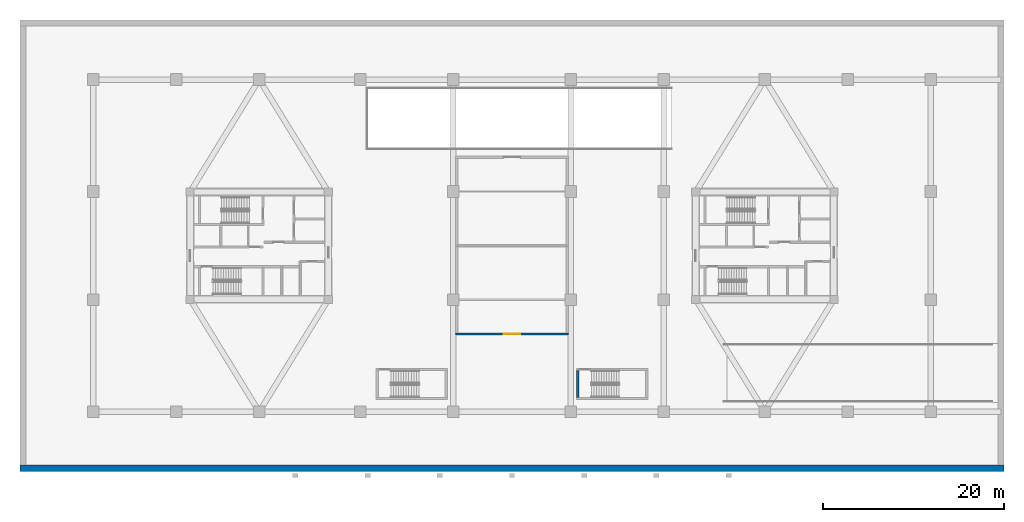
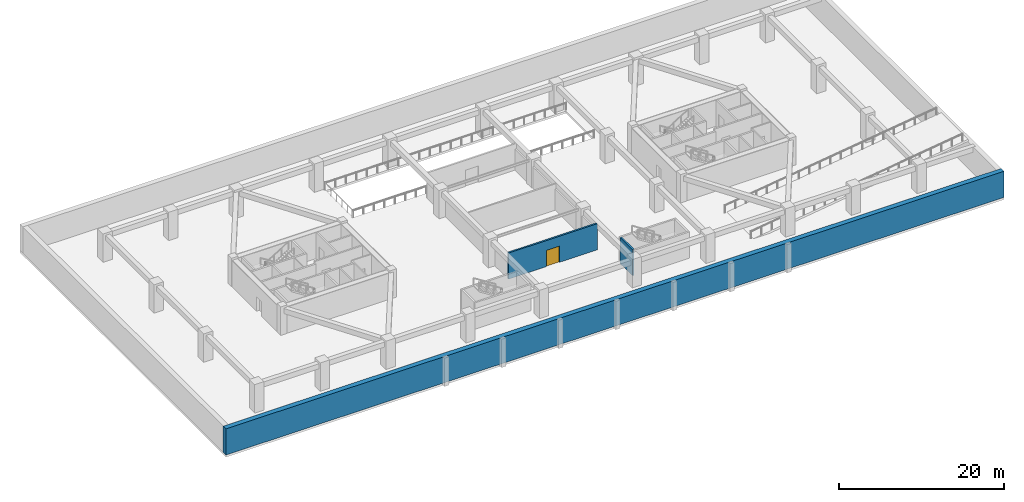
# One storey, part 4 of 14: 3 walls, 1 door, 1 opening.
"""IFC4 building model written with IfcOpenShell, lengths in metres."""

from ifc_helpers import new_model, si_unit, direction, frame, frame_2d, origin, place, context, subcontext, project, spatial, rectangle, extrude, source, transform, mapped, material, layer, layer_set, type_object, type_shapes, element, fill, save


model = new_model("IFC4")

# Units and contexts
model_context = context("Model", 3, precision=1e-05, world=origin(), true_north=direction((0.0, 1.0)))
body_context = subcontext(model_context, "Body", "Model", "MODEL_VIEW")
ifc_project = project(units=[si_unit("LENGTHUNIT", "METRE"), si_unit("AREAUNIT", "SQUARE_METRE"), si_unit("VOLUMEUNIT", "CUBIC_METRE"), si_unit("PLANEANGLEUNIT", "RADIAN"), si_unit("MASSUNIT", "GRAM", prefix="KILO")], contexts=[model_context])

# Site, building, storey
site_placement = place(None, origin())
site = spatial("IfcSite", under=ifc_project, at=site_placement, CompositionType="ELEMENT")
building_placement = place(site_placement, origin())
building = spatial("IfcBuilding", under=site, at=building_placement, Name="Norrkilde Senior Care Towers", CompositionType="ELEMENT")
storey_placement = place(building_placement, frame((0.0, 0.0, -4.199951171875)))
storey = spatial("IfcBuildingStorey", under=building, at=storey_placement, Name="B1", CompositionType="ELEMENT", Elevation=-4.199951171875)

# Walls
ifc_material_1 = material(Name="Concrete C50/60", Category="concrete")
ifc_layer_1 = layer(ifc_material_1, 0.679931640625)
ifc_layer_set_1 = layer_set([ifc_layer_1], Name="Concrete C50/60")
wall_type_1 = type_object("IfcWallType", Name="Basement Retaining Wall 680", PredefinedType="SOLIDWALL", material=ifc_layer_set_1)
shared_shape_1 = source(origin(), body_context, "Body", "SweptSolid", [
    extrude(rectangle(XDim=109.0, YDim=0.679931640625, at=frame_2d((54.5, 0.0))), origin(), (0.0, 0.0, 1.0), 3.8798828125),
])
type_shapes(wall_type_1, [shared_shape_1])
wall_1_placement = place(storey_placement, frame((-54.5, -24.659912109375, 0.0), z_axis=(0.0, 0.0, 1.0), x_axis=(1.0, 0.0, 0.0)))
element("IfcWall", 1, at=wall_1_placement, inside=storey, type_object=wall_type_1, Name="B1 S Perimeter Retaining Wall", PredefinedType="SOLIDWALL", context=body_context, shape_type="MappedRepresentation", body=[
    mapped(shared_shape_1, transform((0.0, 0.0, 0.0), x_axis=(1.0, 0.0, 0.0), y_axis=(0.0, 1.0, 0.0), z_axis=(0.0, 0.0, 1.0), scale=1.0)),
])
ifc_material_2 = material(Name="Concrete C45/55", Category="concrete")
ifc_layer_2 = layer(ifc_material_2, 0.239990234375)
ifc_layer_set_2 = layer_set([ifc_layer_2], Name="Concrete C45/55")
wall_type_2 = type_object("IfcWallType", Name="Shaft and Stair Enclosure Wall 240", PredefinedType="PARTITIONING", material=ifc_layer_set_2)
shared_shape_2 = source(origin(), body_context, "Body", "SweptSolid", [
    extrude(rectangle(XDim=2.949951171875, YDim=0.239990234375, at=frame_2d((1.47509765625, 0.0))), origin(), (0.0, 0.0, 1.0), 3.8798828125),
])
type_shapes(wall_type_2, [shared_shape_2])
wall_2_placement = place(storey_placement, frame((7.280029296875, -16.800048828125, 0.0), z_axis=(0.0, 0.0, 1.0), x_axis=(0.0, 1.0, 0.0)))
element("IfcWall", 2, at=wall_2_placement, inside=storey, type_object=wall_type_2, Name="WL-INT-B1-STP2-W", PredefinedType="PARTITIONING", context=body_context, shape_type="MappedRepresentation", body=[
    mapped(shared_shape_2, transform((0.0, 0.0, 0.0), x_axis=(1.0, 0.0, 0.0), y_axis=(0.0, 1.0, 0.0), z_axis=(0.0, 0.0, 1.0), scale=1.0)),
])

# Wall, opening, door
ifc_layer_3 = layer(ifc_material_2, 0.239990234375)
ifc_layer_set_3 = layer_set([ifc_layer_3], Name="Concrete C45/55")
wall_type_3 = type_object("IfcWallType", Name="Lift and Plant Rated Enclosure Partition 240", PredefinedType="PARTITIONING", material=ifc_layer_set_3)
shared_shape_3 = source(origin(), body_context, "Body", "SweptSolid", [
    extrude(rectangle(XDim=12.47998046875, YDim=0.239990234375, at=frame_2d((6.239990234375, 0.0))), origin(), (0.0, 0.0, 1.0), 3.864990234375),
])
type_shapes(wall_type_3, [shared_shape_3])
wall_3_placement = place(storey_placement, frame((-6.239990234375, -9.800048828125, 0.0), z_axis=(0.0, 0.0, 1.0), x_axis=(1.0, 0.0, 0.0)))
wall_3 = element("IfcWall", 3, at=wall_3_placement, inside=storey, type_object=wall_type_3, Name="WL-INT-B1-CPS", PredefinedType="PARTITIONING", context=body_context, shape_type="MappedRepresentation", body=[
    mapped(shared_shape_3, transform((0.0, 0.0, 0.0), x_axis=(1.0, 0.0, 0.0), y_axis=(0.0, 1.0, 0.0), z_axis=(0.0, 0.0, 1.0), scale=1.0)),
])
opening_placement = place(wall_3_placement, frame((5.340087890625, 0.0, 0.0)))
opening = element("IfcOpeningElement", 4, at=opening_placement, cuts=wall_3, Name="Opening D-11", PredefinedType="OPENING", context=body_context, shape_type="SweptSolid", body=[
    extrude(rectangle(XDim=1.800048828125, YDim=2.39990234375, at=frame_2d((0.89990234375, 1.199951171875))), frame((0.0, 0.1298828125, 0.0), z_axis=(0.0, -1.0, 0.0), x_axis=(1.0, 0.0, 0.0)), (0.0, 0.0, 1.0), 0.260009765625),
])
ifc_material_3 = material(Name="Galvanised Painted Steel", Category="steel")
door_type = type_object("IfcDoorType", Name="Double Plant Equipment Door 1800x2400", OperationType="NOTDEFINED", PredefinedType="DOOR", material=ifc_material_3)
shared_shape_4 = source(origin(), body_context, "Body", "SweptSolid", [
    extrude(rectangle(XDim=1.800048828125, YDim=2.39990234375, at=frame_2d((0.89990234375, 1.199951171875))), frame((0.0, 0.02490234375, 0.0), z_axis=(0.0, -1.0, 0.0), x_axis=(1.0, 0.0, 0.0)), (0.0, 0.0, 1.0), 0.050048828125),
])
type_shapes(door_type, [shared_shape_4])
door_placement = place(opening_placement, origin())
door = element("IfcDoor", 5, at=door_placement, inside=storey, type_object=door_type, Name="B1 Plant Room 1 Door", OperationType="DOUBLE_DOOR_SINGLE_SWING", OverallHeight=2.39990234375, OverallWidth=1.800048828125, PredefinedType="DOOR", context=body_context, shape_type="MappedRepresentation", body=[
    mapped(shared_shape_4, transform((0.0, 0.0, 0.0), x_axis=(1.0, 0.0, 0.0), y_axis=(0.0, 1.0, 0.0), z_axis=(0.0, 0.0, 1.0), scale=1.0)),
])
fill(opening, door)

save(model, "model.ifc")
